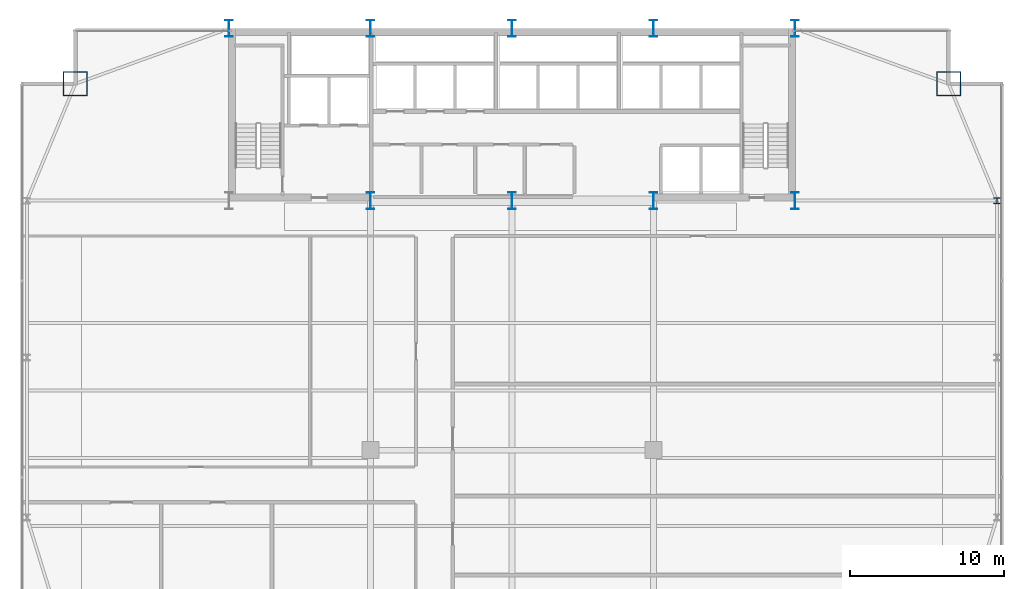
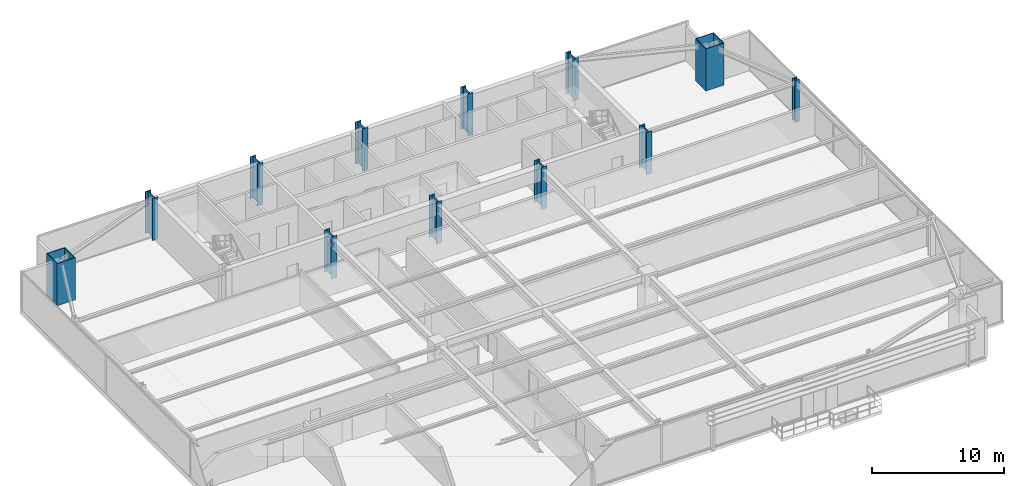
# One storey, part 2 of 29: 12 columns.
"""IFC4 building model written with IfcOpenShell, lengths in metres."""

import ifcopenshell
import ifcopenshell.guid

model = None  # the IFC model being written
_history = None  # IfcOwnerHistory: only IFC2X3 demands one
_inside = {}  # id of a spatial element -> (the spatial element, [elements in it])
_under = {}  # id of a project, library or spatial element -> (it, [spatial elements below it])
_declared = {}  # id of a project -> (the project, [libraries it declares])
_typed = {}  # id of a type object -> (the type object, [elements of that type])
_made_of = {}  # id of a material, layer set ... -> (it, [elements and type objects made of it])


def new_model(schema):
    """Start an empty IFC model of exactly this schema.

    Asked for "IFC4X3", IfcOpenShell would pick the latest addendum, in which some entities
    have other attributes; the version numbers below select the first issue.
    IFC2X3 requires an IfcOwnerHistory on every rooted entity: one is made here for all.
    """
    global model, _history
    if schema == "IFC4X3":
        model = ifcopenshell.file(schema_version=(4, 3, 0, 0))
    else:
        model = ifcopenshell.file(schema=schema)
    _inside.clear()
    _under.clear()
    _declared.clear()
    _typed.clear()
    _made_of.clear()
    _history = None
    if model.schema == "IFC2X3":
        org = make("IfcOrganization", Name="unknown")
        user = make(
            "IfcPersonAndOrganization",
            ThePerson=make("IfcPerson", FamilyName="unknown"),
            TheOrganization=org,
        )
        app = make(
            "IfcApplication",
            ApplicationDeveloper=org,
            Version="unknown",
            ApplicationFullName="unknown",
            ApplicationIdentifier="unknown",
        )
        _history = make(
            "IfcOwnerHistory",
            OwningUser=user,
            OwningApplication=app,
            ChangeAction="ADDED",
            CreationDate=0,
        )
    return model


def make(cls, **values):
    """One entity of the class cls with the attributes given. An attribute that is None is left unset."""
    return model.create_entity(
        cls, **{name: value for name, value in values.items() if value is not None}
    )


def rooted(cls, **values):
    """An entity with a GlobalId (a new one), such as an element, a storey or a relation."""
    return make(cls, GlobalId=ifcopenshell.guid.new(), OwnerHistory=_history, **values)


def si_unit(unit_type, name, prefix=None):
    """IfcSIUnit, for example si_unit("LENGTHUNIT", "METRE", prefix="MILLI")."""
    return make("IfcSIUnit", UnitType=unit_type, Prefix=prefix, Name=name)


def assignment(units):
    """IfcUnitAssignment: the units of a project."""
    return None if units is None else make("IfcUnitAssignment", Units=units)


def point(xyz):
    """IfcCartesianPoint."""
    return None if xyz is None else make("IfcCartesianPoint", Coordinates=xyz)


def direction(xyz):
    """IfcDirection."""
    return None if xyz is None else make("IfcDirection", DirectionRatios=xyz)


def frame(location, z_axis=None, x_axis=None):
    """IfcAxis2Placement3D, a coordinate frame: its origin and axes. An axis left out is left unset."""
    return make(
        "IfcAxis2Placement3D",
        Location=point(location),
        Axis=direction(z_axis),
        RefDirection=direction(x_axis),
    )


def frame_2d(location, x_axis=None):
    """IfcAxis2Placement2D, a coordinate frame in the plane: its origin and x axis."""
    return make(
        "IfcAxis2Placement2D", Location=point(location), RefDirection=direction(x_axis)
    )


def origin():
    """The frame at (0, 0, 0) with its axes left unset."""
    return frame((0.0, 0.0, 0.0))


def origin_2d():
    """The frame at (0, 0) in the plane with its x axis left unset."""
    return frame_2d((0.0, 0.0))


def place(relative_to, where):
    """IfcLocalPlacement: puts the frame where relative to a parent placement (None: the world)."""
    return make(
        "IfcLocalPlacement", PlacementRelTo=relative_to, RelativePlacement=where
    )


def context(
    kind, dimensions, precision=None, world=None, true_north=None, identifier=None
):
    """IfcGeometricRepresentationContext, for example the 3D "Model" context."""
    return make(
        "IfcGeometricRepresentationContext",
        ContextIdentifier=identifier,
        ContextType=kind,
        CoordinateSpaceDimension=dimensions,
        Precision=precision,
        WorldCoordinateSystem=world,
        TrueNorth=true_north,
    )


def subcontext(parent, identifier, kind, view, scale=None):
    """IfcGeometricRepresentationSubContext, for example "Body" below "Model"."""
    return make(
        "IfcGeometricRepresentationSubContext",
        ContextIdentifier=identifier,
        ContextType=kind,
        ParentContext=parent,
        TargetScale=scale,
        TargetView=view,
    )


def project(units=None, contexts=None):
    """IfcProject with its units and contexts."""
    return rooted(
        "IfcProject",
        Name="project",
        RepresentationContexts=contexts,
        UnitsInContext=assignment(units),
    )


def spatial(cls, under=None, at=None, **own):
    """A site, building, storey or space (cls), placed at a placement, below another one or the project."""
    s = rooted(cls, ObjectPlacement=at, **own)
    if under is not None:
        _under.setdefault(under.id(), (under, []))[1].append(s)
    return s


def profile(cls, at=None, kind="AREA", **sizes):
    """A parametric profile (cls). Its sizes go by their IFC names, for example OverallWidth=200.0."""
    return make(cls, ProfileType=kind, Position=at, **sizes)


def hollow_rectangle(**sizes):
    """IfcRectangleHollowProfileDef."""
    return profile("IfcRectangleHollowProfileDef", **sizes)


def i_section(**sizes):
    """IfcIShapeProfileDef."""
    return profile("IfcIShapeProfileDef", **sizes)


def extrude(swept, where, along, depth):
    """IfcExtrudedAreaSolid: the profile swept, set in the frame where, extruded along a direction by depth."""
    return make(
        "IfcExtrudedAreaSolid",
        SweptArea=swept,
        Position=where,
        ExtrudedDirection=direction(along),
        Depth=depth,
    )


def shape(context_of_items, identifier, shape_type, items):
    """IfcShapeRepresentation: the items that make up one representation, for example the "Body"."""
    return make(
        "IfcShapeRepresentation",
        ContextOfItems=context_of_items,
        RepresentationIdentifier=identifier,
        RepresentationType=shape_type,
        Items=items,
    )


def source(mapping_origin, context_of_items, identifier, shape_type, items):
    """IfcRepresentationMap: a shape defined once, which mapped items show again and again."""
    return make(
        "IfcRepresentationMap",
        MappingOrigin=mapping_origin,
        MappedRepresentation=shape(context_of_items, identifier, shape_type, items),
    )


def transform(
    local_origin,
    x_axis=None,
    y_axis=None,
    z_axis=None,
    scale=None,
    scale2=None,
    scale3=None,
    uniform=True,
):
    """IfcCartesianTransformationOperator3D, or its non-uniform kind. x_axis, y_axis, z_axis: its Axis1, 2, 3."""
    if uniform:
        return make(
            "IfcCartesianTransformationOperator3D",
            Axis1=direction(x_axis),
            Axis2=direction(y_axis),
            LocalOrigin=point(local_origin),
            Scale=scale,
            Axis3=direction(z_axis),
        )
    return make(
        "IfcCartesianTransformationOperator3DnonUniform",
        Axis1=direction(x_axis),
        Axis2=direction(y_axis),
        LocalOrigin=point(local_origin),
        Scale=scale,
        Axis3=direction(z_axis),
        Scale2=scale2,
        Scale3=scale3,
    )


def mapped(mapping_source, mapping_target):
    """IfcMappedItem: shows the shape of a source again, moved by a transform."""
    return make(
        "IfcMappedItem", MappingSource=mapping_source, MappingTarget=mapping_target
    )


def material(Name=None, Category=None):
    """IfcMaterial."""
    return make("IfcMaterial", Name=Name, Category=Category)


def material_profile(
    of_material, cross_section, Name=None, Category=None, Priority=None
):
    """IfcMaterialProfile: a cross section and its material."""
    return make(
        "IfcMaterialProfile",
        Name=Name,
        Material=of_material,
        Profile=cross_section,
        Priority=Priority,
        Category=Category,
    )


def profile_set(profiles, Name=None, composite=None):
    """IfcMaterialProfileSet."""
    return make(
        "IfcMaterialProfileSet",
        Name=Name,
        MaterialProfiles=profiles,
        CompositeProfile=composite,
    )


def made_of(thing, what):
    """Note that an element or type object is made of a material, layer set ...; save() writes the relation."""
    if what is not None:
        _made_of.setdefault(what.id(), (what, []))[1].append(thing)
    return thing


def type_object(cls, material=None, **own):
    """A type object (cls), such as IfcWallType, which elements share."""
    return made_of(rooted(cls, **own), material)


def type_shapes(of_type, sources):
    """Give a type object the sources (RepresentationMaps) that its elements show as mapped items."""
    of_type.RepresentationMaps = sources


def element(
    cls,
    number,
    at=None,
    inside=None,
    cuts=None,
    type_object=None,
    material=None,
    context=None,
    identifier="Body",
    shape_type=None,
    held_by="IfcProductDefinitionShape",
    body=None,
    shapes=None,
    **own,
):
    """One element of the class cls, such as IfcWall. Its Tag is "e" and its number.

    at: its placement. inside: the storey or other place that contains it. cuts: it is an
    opening in that element (IfcRelVoidsElement). A single representation is given by context,
    identifier, shape_type and body (its items); several are given by shapes. held_by: the class
    of the entity that holds the representations. save() writes the other relations.
    """
    e = rooted(cls, Tag="e%d" % number, ObjectPlacement=at, **own)
    if body is not None:
        shapes = [shape(context, identifier, shape_type, body)]
    if shapes is not None:
        e.Representation = make(held_by, Representations=shapes)
    if inside is not None:
        _inside.setdefault(inside.id(), (inside, []))[1].append(e)
    if cuts is not None:
        rooted(
            "IfcRelVoidsElement", RelatingBuildingElement=cuts, RelatedOpeningElement=e
        )
    if type_object is not None:
        _typed.setdefault(type_object.id(), (type_object, []))[1].append(e)
    return made_of(e, material)


def aggregate(whole, parts):
    """IfcRelAggregates: a whole, such as a stair, and the parts it consists of."""
    return rooted("IfcRelAggregates", RelatingObject=whole, RelatedObjects=parts)


def save(model, path):
    """Write the relations noted so far, then the file.

    IfcRelAggregates (storeys below a building ...), IfcRelContainedInSpatialStructure (elements
    in a storey), IfcRelDefinesByType, IfcRelAssociatesMaterial and IfcRelDeclares: one each for
    every whole, place, type object, material and project.
    """
    for whole, parts in _under.values():
        aggregate(whole, parts)
    for where, things in _inside.values():
        rooted(
            "IfcRelContainedInSpatialStructure",
            RelatedElements=things,
            RelatingStructure=where,
        )
    for kind, things in _typed.values():
        rooted("IfcRelDefinesByType", RelatedObjects=things, RelatingType=kind)
    for what, things in _made_of.values():
        rooted("IfcRelAssociatesMaterial", RelatedObjects=things, RelatingMaterial=what)
    for by, libraries in _declared.values():
        rooted("IfcRelDeclares", RelatingContext=by, RelatedDefinitions=libraries)
    model.write(path)


model = new_model("IFC4")

# Units and contexts
model_context = context("Model", 3, precision=1e-05, world=origin(), true_north=direction((0.0, 1.0)))
body_context = subcontext(model_context, "Body", "Model", "MODEL_VIEW")
ifc_project = project(units=[si_unit("LENGTHUNIT", "METRE"), si_unit("AREAUNIT", "SQUARE_METRE"), si_unit("VOLUMEUNIT", "CUBIC_METRE"), si_unit("PLANEANGLEUNIT", "RADIAN"), si_unit("MASSUNIT", "GRAM", prefix="KILO")], contexts=[model_context])

# Site, building, storey
site_placement = place(None, origin())
site = spatial("IfcSite", under=ifc_project, at=site_placement, CompositionType="ELEMENT")
building_placement = place(site_placement, origin())
building = spatial("IfcBuilding", under=site, at=building_placement, Name="Varnel Quay Broadcast Tower", CompositionType="ELEMENT")
storey_placement = place(building_placement, frame((0.0, 0.0, 74.39990234375)))
storey = spatial("IfcBuildingStorey", under=building, at=storey_placement, Name="L17", CompositionType="ELEMENT", Elevation=74.39990234375)

# Columns
ifc_material_1 = material(Name="Structural Steel CSA G40.21 350WT", Category="steel")
ifc_material_profile_1 = material_profile(ifc_material_1, i_section(OverallWidth=0.5, OverallDepth=1.10009765625, WebThickness=0.01806640625, FlangeThickness=0.031982421875, FilletRadius=0.01806640625, at=origin_2d()), Name="WWF1100X418")
ifc_profile_set_1 = profile_set([ifc_material_profile_1], Name="Structural Steel CSA G40.21 350WT")
column_type_1 = type_object("IfcColumnType", Name="Col_WWF1100X418", PredefinedType="COLUMN", material=ifc_profile_set_1)
shared_shape_1 = source(origin(), body_context, "Body", "SweptSolid", [
    extrude(i_section(OverallWidth=0.5, OverallDepth=1.10009765625, WebThickness=0.01806640625, FlangeThickness=0.031982421875, FilletRadius=0.01806640625, at=origin_2d()), origin(), (0.0, 0.0, 1.0), 3.900146484375),
])
type_shapes(column_type_1, [shared_shape_1])
for number, where, z_axis, x_axis, name in (
    (1, (15.60009765625, 46.800048828125, 0.0), (0.0, 0.0, 1.0), (1.0, 0.0, 0.0), "L17 Column CC-N1"),
    (2, (24.800048828125, 35.60009765625, 0.0), (0.0, 0.0, 1.0), (1.0, 0.0, 0.0), "L17 Column CC-S2"),
    (3, (24.800048828125, 46.800048828125, 0.0), (0.0, 0.0, 1.0), (1.0, 0.0, 0.0), "L17 Column CC-N2"),
    (4, (34.0, 35.60009765625, 0.0), (0.0, 0.0, 1.0), (1.0, 0.0, 0.0), "L17 Column CC-S3"),
    (5, (34.0, 46.800048828125, 0.0), (0.0, 0.0, 1.0), (1.0, 0.0, 0.0), "L17 Column CC-N3"),
    (6, (43.199951171875, 35.60009765625, 0.0), (0.0, 0.0, 1.0), (1.0, 0.0, 0.0), "L17 Column CC-S4"),
    (7, (43.199951171875, 46.800048828125, 0.0), (0.0, 0.0, 1.0), (1.0, 0.0, 0.0), "L17 Column CC-N4"),
    (8, (52.39990234375, 35.60009765625, 0.0), (0.0, 0.0, 1.0), (1.0, 0.0, 0.0), "L17 Column CC-S5"),
    (9, (52.39990234375, 46.800048828125, 0.0), (0.0, 0.0, 1.0), (1.0, 0.0, 0.0), "L17 Column CC-N5"),
):
    element("IfcColumn", number, at=place(storey_placement, frame(where, z_axis=z_axis, x_axis=x_axis)), inside=storey, type_object=column_type_1, Name=name, PredefinedType="COLUMN", context=body_context, shape_type="MappedRepresentation", body=[
        mapped(shared_shape_1, transform((0.0, 0.0, 0.0), x_axis=(1.0, 0.0, 0.0), y_axis=(0.0, 1.0, 0.0), z_axis=(0.0, 0.0, 1.0), scale=1.0)),
    ])
ifc_material_profile_2 = material_profile(ifc_material_1, hollow_rectangle(XDim=1.60009765625, YDim=1.60009765625, WallThickness=0.06005859375, at=origin_2d()), Name="BOX1600X1600X60")
ifc_profile_set_2 = profile_set([ifc_material_profile_2], Name="Structural Steel CSA G40.21 350WT")
column_type_2 = type_object("IfcColumnType", Name="Col_BOX1600X1600X60", PredefinedType="COLUMN", material=ifc_profile_set_2)
shared_shape_2 = source(origin(), body_context, "Body", "SweptSolid", [
    extrude(hollow_rectangle(XDim=1.60009765625, YDim=1.60009765625, WallThickness=0.06005859375, at=origin_2d()), origin(), (0.0, 0.0, 1.0), 3.900146484375),
])
type_shapes(column_type_2, [shared_shape_2])
for number, where, z_axis, x_axis, name in (
    (10, (62.39990234375, 43.199951171875, 0.0), (0.0, 0.0, 1.0), (1.0, 0.0, 0.0), "L17 Column MC-NE"),
    (11, (5.60009765625, 43.199951171875, 0.0), (0.0, 0.0, 1.0), (1.0, 0.0, 0.0), "L17 Column MC-NW"),
):
    element("IfcColumn", number, at=place(storey_placement, frame(where, z_axis=z_axis, x_axis=x_axis)), inside=storey, type_object=column_type_2, Name=name, PredefinedType="COLUMN", context=body_context, shape_type="MappedRepresentation", body=[
        mapped(shared_shape_2, transform((0.0, 0.0, 0.0), x_axis=(1.0, 0.0, 0.0), y_axis=(0.0, 1.0, 0.0), z_axis=(0.0, 0.0, 1.0), scale=1.0)),
    ])
ifc_material_2 = material(Name="Structural Steel CSA G40.21 350W", Category="steel")
ifc_material_profile_3 = material_profile(ifc_material_2, i_section(OverallWidth=0.404052734375, OverallDepth=0.406982421875, WebThickness=0.027099609375, FlangeThickness=0.043701171875, FilletRadius=0.01806640625, at=origin_2d()), Name="W360X347")
ifc_profile_set_3 = profile_set([ifc_material_profile_3], Name="Structural Steel CSA G40.21 350W")
column_type_3 = type_object("IfcColumnType", Name="Col_W360X347", PredefinedType="COLUMN", material=ifc_profile_set_3)
shared_shape_3 = source(origin(), body_context, "Body", "SweptSolid", [
    extrude(i_section(OverallWidth=0.404052734375, OverallDepth=0.406982421875, WebThickness=0.027099609375, FlangeThickness=0.043701171875, FilletRadius=0.01806640625, at=origin_2d()), origin(), (0.0, 0.0, 1.0), 3.900146484375),
])
type_shapes(column_type_3, [shared_shape_3])
column_placement = place(storey_placement, frame((65.550048828125, 35.60009765625, 0.0), z_axis=(0.0, 0.0, 1.0), x_axis=(1.0, 0.0, 0.0)))
element("IfcColumn", 12, at=column_placement, inside=storey, type_object=column_type_3, Name="L17 Column TC-E3", PredefinedType="COLUMN", context=body_context, shape_type="MappedRepresentation", body=[
    mapped(shared_shape_3, transform((0.0, 0.0, 0.0), x_axis=(1.0, 0.0, 0.0), y_axis=(0.0, 1.0, 0.0), z_axis=(0.0, 0.0, 1.0), scale=1.0)),
])

save(model, "model.ifc")
